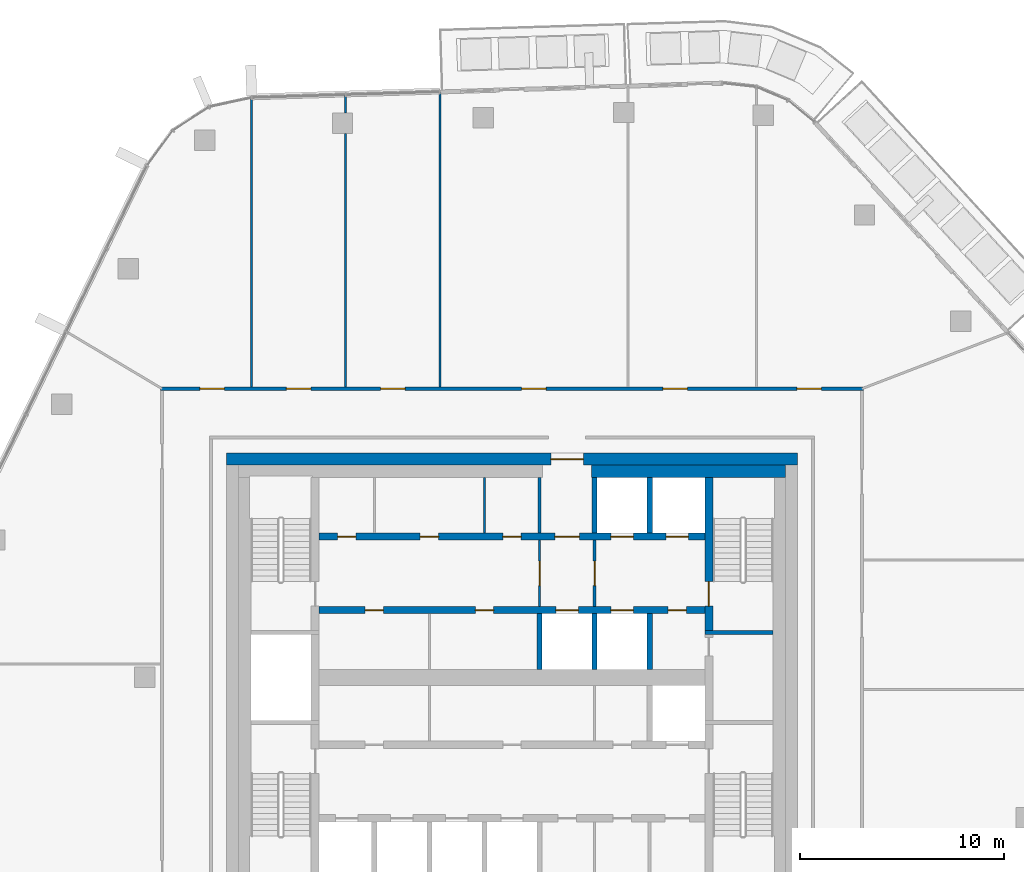
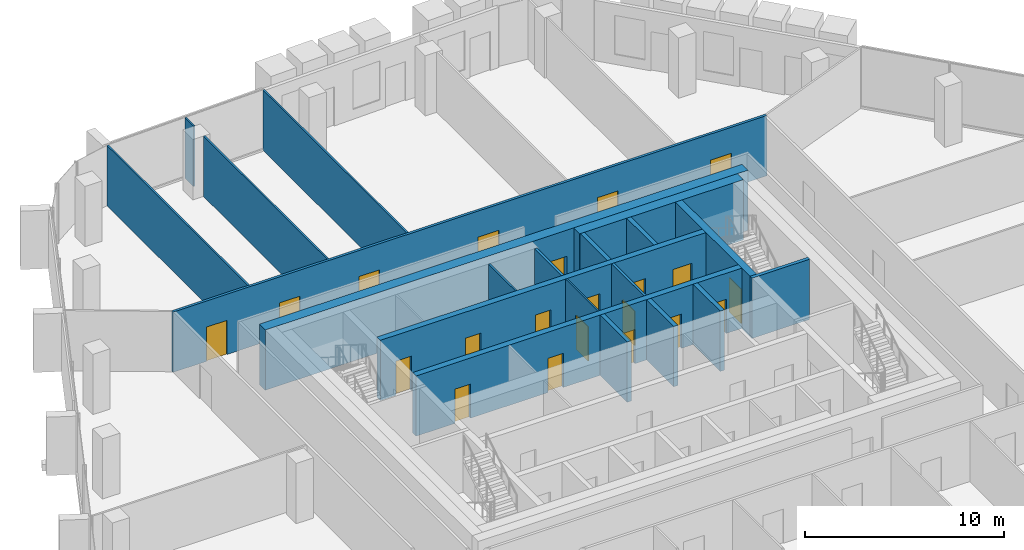
# One storey, part 15 of 24: 21 doors, 20 walls, 21 openings.
"""IFC4 building model written with IfcOpenShell, lengths in metres."""

import ifcopenshell
import ifcopenshell.guid

model = None  # the IFC model being written
_history = None  # IfcOwnerHistory: only IFC2X3 demands one
_inside = {}  # id of a spatial element -> (the spatial element, [elements in it])
_under = {}  # id of a project, library or spatial element -> (it, [spatial elements below it])
_declared = {}  # id of a project -> (the project, [libraries it declares])
_typed = {}  # id of a type object -> (the type object, [elements of that type])
_made_of = {}  # id of a material, layer set ... -> (it, [elements and type objects made of it])


def new_model(schema):
    """Start an empty IFC model of exactly this schema.

    Asked for "IFC4X3", IfcOpenShell would pick the latest addendum, in which some entities
    have other attributes; the version numbers below select the first issue.
    IFC2X3 requires an IfcOwnerHistory on every rooted entity: one is made here for all.
    """
    global model, _history
    if schema == "IFC4X3":
        model = ifcopenshell.file(schema_version=(4, 3, 0, 0))
    else:
        model = ifcopenshell.file(schema=schema)
    _inside.clear()
    _under.clear()
    _declared.clear()
    _typed.clear()
    _made_of.clear()
    _history = None
    if model.schema == "IFC2X3":
        org = make("IfcOrganization", Name="unknown")
        user = make(
            "IfcPersonAndOrganization",
            ThePerson=make("IfcPerson", FamilyName="unknown"),
            TheOrganization=org,
        )
        app = make(
            "IfcApplication",
            ApplicationDeveloper=org,
            Version="unknown",
            ApplicationFullName="unknown",
            ApplicationIdentifier="unknown",
        )
        _history = make(
            "IfcOwnerHistory",
            OwningUser=user,
            OwningApplication=app,
            ChangeAction="ADDED",
            CreationDate=0,
        )
    return model


def make(cls, **values):
    """One entity of the class cls with the attributes given. An attribute that is None is left unset."""
    return model.create_entity(
        cls, **{name: value for name, value in values.items() if value is not None}
    )


def rooted(cls, **values):
    """An entity with a GlobalId (a new one), such as an element, a storey or a relation."""
    return make(cls, GlobalId=ifcopenshell.guid.new(), OwnerHistory=_history, **values)


def si_unit(unit_type, name, prefix=None):
    """IfcSIUnit, for example si_unit("LENGTHUNIT", "METRE", prefix="MILLI")."""
    return make("IfcSIUnit", UnitType=unit_type, Prefix=prefix, Name=name)


def assignment(units):
    """IfcUnitAssignment: the units of a project."""
    return None if units is None else make("IfcUnitAssignment", Units=units)


def point(xyz):
    """IfcCartesianPoint."""
    return None if xyz is None else make("IfcCartesianPoint", Coordinates=xyz)


def direction(xyz):
    """IfcDirection."""
    return None if xyz is None else make("IfcDirection", DirectionRatios=xyz)


def frame(location, z_axis=None, x_axis=None):
    """IfcAxis2Placement3D, a coordinate frame: its origin and axes. An axis left out is left unset."""
    return make(
        "IfcAxis2Placement3D",
        Location=point(location),
        Axis=direction(z_axis),
        RefDirection=direction(x_axis),
    )


def frame_2d(location, x_axis=None):
    """IfcAxis2Placement2D, a coordinate frame in the plane: its origin and x axis."""
    return make(
        "IfcAxis2Placement2D", Location=point(location), RefDirection=direction(x_axis)
    )


def origin():
    """The frame at (0, 0, 0) with its axes left unset."""
    return frame((0.0, 0.0, 0.0))


def place(relative_to, where):
    """IfcLocalPlacement: puts the frame where relative to a parent placement (None: the world)."""
    return make(
        "IfcLocalPlacement", PlacementRelTo=relative_to, RelativePlacement=where
    )


def context(
    kind, dimensions, precision=None, world=None, true_north=None, identifier=None
):
    """IfcGeometricRepresentationContext, for example the 3D "Model" context."""
    return make(
        "IfcGeometricRepresentationContext",
        ContextIdentifier=identifier,
        ContextType=kind,
        CoordinateSpaceDimension=dimensions,
        Precision=precision,
        WorldCoordinateSystem=world,
        TrueNorth=true_north,
    )


def subcontext(parent, identifier, kind, view, scale=None):
    """IfcGeometricRepresentationSubContext, for example "Body" below "Model"."""
    return make(
        "IfcGeometricRepresentationSubContext",
        ContextIdentifier=identifier,
        ContextType=kind,
        ParentContext=parent,
        TargetScale=scale,
        TargetView=view,
    )


def project(units=None, contexts=None):
    """IfcProject with its units and contexts."""
    return rooted(
        "IfcProject",
        Name="project",
        RepresentationContexts=contexts,
        UnitsInContext=assignment(units),
    )


def spatial(cls, under=None, at=None, **own):
    """A site, building, storey or space (cls), placed at a placement, below another one or the project."""
    s = rooted(cls, ObjectPlacement=at, **own)
    if under is not None:
        _under.setdefault(under.id(), (under, []))[1].append(s)
    return s


def profile(cls, at=None, kind="AREA", **sizes):
    """A parametric profile (cls). Its sizes go by their IFC names, for example OverallWidth=200.0."""
    return make(cls, ProfileType=kind, Position=at, **sizes)


def rectangle(**sizes):
    """IfcRectangleProfileDef."""
    return profile("IfcRectangleProfileDef", **sizes)


def extrude(swept, where, along, depth):
    """IfcExtrudedAreaSolid: the profile swept, set in the frame where, extruded along a direction by depth."""
    return make(
        "IfcExtrudedAreaSolid",
        SweptArea=swept,
        Position=where,
        ExtrudedDirection=direction(along),
        Depth=depth,
    )


def shape(context_of_items, identifier, shape_type, items):
    """IfcShapeRepresentation: the items that make up one representation, for example the "Body"."""
    return make(
        "IfcShapeRepresentation",
        ContextOfItems=context_of_items,
        RepresentationIdentifier=identifier,
        RepresentationType=shape_type,
        Items=items,
    )


def material(Name=None, Category=None):
    """IfcMaterial."""
    return make("IfcMaterial", Name=Name, Category=Category)


def layer(
    of_material, thickness, ventilated=None, Name=None, Category=None, Priority=None
):
    """IfcMaterialLayer: one layer of a wall or slab, of a material (None: an air gap)."""
    return make(
        "IfcMaterialLayer",
        Material=of_material,
        LayerThickness=thickness,
        IsVentilated=ventilated,
        Name=Name,
        Category=Category,
        Priority=Priority,
    )


def layer_set(layers, Name=None):
    """IfcMaterialLayerSet."""
    return make("IfcMaterialLayerSet", MaterialLayers=layers, LayerSetName=Name)


def made_of(thing, what):
    """Note that an element or type object is made of a material, layer set ...; save() writes the relation."""
    if what is not None:
        _made_of.setdefault(what.id(), (what, []))[1].append(thing)
    return thing


def type_object(cls, material=None, **own):
    """A type object (cls), such as IfcWallType, which elements share."""
    return made_of(rooted(cls, **own), material)


def element(
    cls,
    number,
    at=None,
    inside=None,
    cuts=None,
    type_object=None,
    material=None,
    context=None,
    identifier="Body",
    shape_type=None,
    held_by="IfcProductDefinitionShape",
    body=None,
    shapes=None,
    **own,
):
    """One element of the class cls, such as IfcWall. Its Tag is "e" and its number.

    at: its placement. inside: the storey or other place that contains it. cuts: it is an
    opening in that element (IfcRelVoidsElement). A single representation is given by context,
    identifier, shape_type and body (its items); several are given by shapes. held_by: the class
    of the entity that holds the representations. save() writes the other relations.
    """
    e = rooted(cls, Tag="e%d" % number, ObjectPlacement=at, **own)
    if body is not None:
        shapes = [shape(context, identifier, shape_type, body)]
    if shapes is not None:
        e.Representation = make(held_by, Representations=shapes)
    if inside is not None:
        _inside.setdefault(inside.id(), (inside, []))[1].append(e)
    if cuts is not None:
        rooted(
            "IfcRelVoidsElement", RelatingBuildingElement=cuts, RelatedOpeningElement=e
        )
    if type_object is not None:
        _typed.setdefault(type_object.id(), (type_object, []))[1].append(e)
    return made_of(e, material)


def fill(opening, filler):
    """IfcRelFillsElement: the door or window that sits in an opening."""
    return rooted(
        "IfcRelFillsElement",
        RelatingOpeningElement=opening,
        RelatedBuildingElement=filler,
    )


def aggregate(whole, parts):
    """IfcRelAggregates: a whole, such as a stair, and the parts it consists of."""
    return rooted("IfcRelAggregates", RelatingObject=whole, RelatedObjects=parts)


def save(model, path):
    """Write the relations noted so far, then the file.

    IfcRelAggregates (storeys below a building ...), IfcRelContainedInSpatialStructure (elements
    in a storey), IfcRelDefinesByType, IfcRelAssociatesMaterial and IfcRelDeclares: one each for
    every whole, place, type object, material and project.
    """
    for whole, parts in _under.values():
        aggregate(whole, parts)
    for where, things in _inside.values():
        rooted(
            "IfcRelContainedInSpatialStructure",
            RelatedElements=things,
            RelatingStructure=where,
        )
    for kind, things in _typed.values():
        rooted("IfcRelDefinesByType", RelatedObjects=things, RelatingType=kind)
    for what, things in _made_of.values():
        rooted("IfcRelAssociatesMaterial", RelatedObjects=things, RelatingMaterial=what)
    for by, libraries in _declared.values():
        rooted("IfcRelDeclares", RelatingContext=by, RelatedDefinitions=libraries)
    model.write(path)


model = new_model("IFC4")

# Units and contexts
model_context = context("Model", 3, precision=1e-05, world=origin(), true_north=direction((0.0, 1.0)))
body_context = subcontext(model_context, "Body", "Model", "MODEL_VIEW")
ifc_project = project(units=[si_unit("LENGTHUNIT", "METRE"), si_unit("AREAUNIT", "SQUARE_METRE"), si_unit("VOLUMEUNIT", "CUBIC_METRE"), si_unit("PLANEANGLEUNIT", "RADIAN"), si_unit("MASSUNIT", "GRAM", prefix="KILO")], contexts=[model_context])

# Site, building, storey
site_placement = place(None, origin())
site = spatial("IfcSite", under=ifc_project, at=site_placement, CompositionType="ELEMENT")
building_placement = place(site_placement, origin())
building = spatial("IfcBuilding", under=site, at=building_placement, Name="Dongbaek Canopy Tower", CompositionType="ELEMENT")
storey_placement = place(building_placement, frame((0.0, 0.0, 348.800048828125)))
storey = spatial("IfcBuildingStorey", under=building, at=storey_placement, Name="L75", CompositionType="ELEMENT", Elevation=348.800048828125)

# Wall, openings, doors
ifc_material_1 = material(Name="Concrete C60/75", Category="concrete")
ifc_layer_1 = layer(ifc_material_1, 0.35009765625)
ifc_layer_set_1 = layer_set([ifc_layer_1], Name="Core lobby wall 350 Concrete C60/75")
wall_type_1 = type_object("IfcWallType", Name="Core lobby wall 350 Concrete C60/75", PredefinedType="SHEAR", material=ifc_layer_set_1)
wall_1_placement = place(storey_placement, frame((-9.449951171875, 6.89990234375, 0.0), z_axis=(0.0, 0.0, 1.0), x_axis=(1.0, 0.0, 0.0)))
wall_1 = element("IfcWall", 1, at=wall_1_placement, inside=storey, type_object=wall_type_1, Name="Core wall", PredefinedType="SHEAR", context=body_context, shape_type="SweptSolid", body=[
    extrude(rectangle(XDim=18.89990234375, YDim=0.35009765625, at=frame_2d((9.449951171875, 0.0))), origin(), (0.0, 0.0, 1.0), 3.699951171875),
])
opening_1_placement = place(wall_1_placement, frame((11.550048828125, 0.0, 0.0)))
opening_1 = element("IfcOpeningElement", 2, at=opening_1_placement, cuts=wall_1, Name="Opening L75-D021", PredefinedType="OPENING", context=body_context, shape_type="SweptSolid", body=[
    extrude(rectangle(XDim=1.199951171875, YDim=2.10009765625, at=frame_2d((0.60009765625, 1.050048828125))), frame((0.0, 0.18505859375, 0.0), z_axis=(0.0, -1.0, 0.0), x_axis=(1.0, 0.0, 0.0)), (0.0, 0.0, 1.0), 0.3701171875),
])
opening_2_placement = place(wall_1_placement, frame((14.300048828125, 0.0, 0.0)))
opening_2 = element("IfcOpeningElement", 3, at=opening_2_placement, cuts=wall_1, Name="Opening L75-D022", PredefinedType="OPENING", context=body_context, shape_type="SweptSolid", body=[
    extrude(rectangle(XDim=1.10009765625, YDim=2.10009765625, at=frame_2d((0.550048828125, 1.050048828125))), frame((0.0, 0.18505859375, 0.0), z_axis=(0.0, -1.0, 0.0), x_axis=(1.0, 0.0, 0.0)), (0.0, 0.0, 1.0), 0.3701171875),
])
opening_3_placement = place(wall_1_placement, frame((17.0, 0.0, 0.0)))
opening_3 = element("IfcOpeningElement", 4, at=opening_3_placement, cuts=wall_1, Name="Opening L75-D023", PredefinedType="OPENING", context=body_context, shape_type="SweptSolid", body=[
    extrude(rectangle(XDim=1.10009765625, YDim=2.10009765625, at=frame_2d((0.550048828125, 1.050048828125))), frame((0.0, 0.18505859375, 0.0), z_axis=(0.0, -1.0, 0.0), x_axis=(1.0, 0.0, 0.0)), (0.0, 0.0, 1.0), 0.3701171875),
])
opening_4_placement = place(wall_1_placement, frame((0.89990234375, 0.0, 0.0)))
opening_4 = element("IfcOpeningElement", 5, at=opening_4_placement, cuts=wall_1, Name="Opening L75-D034", PredefinedType="OPENING", context=body_context, shape_type="SweptSolid", body=[
    extrude(rectangle(XDim=0.89990234375, YDim=2.10009765625, at=frame_2d((0.449951171875, 1.050048828125))), frame((0.0, 0.18505859375, 0.0), z_axis=(0.0, -1.0, 0.0), x_axis=(1.0, 0.0, 0.0)), (0.0, 0.0, 1.0), 0.3701171875),
])
opening_5_placement = place(wall_1_placement, frame((4.949951171875, 0.0, 0.0)))
opening_5 = element("IfcOpeningElement", 6, at=opening_5_placement, cuts=wall_1, Name="Opening L75-D035", PredefinedType="OPENING", context=body_context, shape_type="SweptSolid", body=[
    extrude(rectangle(XDim=0.89990234375, YDim=2.10009765625, at=frame_2d((0.449951171875, 1.050048828125))), frame((0.0, 0.18505859375, 0.0), z_axis=(0.0, -1.0, 0.0), x_axis=(1.0, 0.0, 0.0)), (0.0, 0.0, 1.0), 0.3701171875),
])
opening_6_placement = place(wall_1_placement, frame((9.0, 0.0, 0.0)))
opening_6 = element("IfcOpeningElement", 7, at=opening_6_placement, cuts=wall_1, Name="Opening L75-D036", PredefinedType="OPENING", context=body_context, shape_type="SweptSolid", body=[
    extrude(rectangle(XDim=0.89990234375, YDim=2.10009765625, at=frame_2d((0.449951171875, 1.050048828125))), frame((0.0, 0.18505859375, 0.0), z_axis=(0.0, -1.0, 0.0), x_axis=(1.0, 0.0, 0.0)), (0.0, 0.0, 1.0), 0.3701171875),
])
ifc_material_2 = material(Name="Steel", Category="steel")
door_type_1 = type_object("IfcDoorType", Name="Core room door 900 x 2100", OperationType="SINGLE_SWING_LEFT", PredefinedType="DOOR", material=ifc_material_2)
door_1_placement = place(opening_4_placement, origin())
door_1 = element("IfcDoor", 8, at=door_1_placement, inside=storey, type_object=door_type_1, Name="Door L75-D034", OperationType="SINGLE_SWING_RIGHT", OverallHeight=2.10009765625, OverallWidth=0.89990234375, PredefinedType="DOOR", context=body_context, shape_type="SweptSolid", body=[
    extrude(rectangle(XDim=0.89990234375, YDim=2.10009765625, at=frame_2d((0.449951171875, 1.050048828125))), frame((0.0, 0.02490234375, 0.0), z_axis=(0.0, -1.0, 0.0), x_axis=(1.0, 0.0, 0.0)), (0.0, 0.0, 1.0), 0.050048828125),
])
fill(opening_4, door_1)
door_2_placement = place(opening_5_placement, origin())
door_2 = element("IfcDoor", 9, at=door_2_placement, inside=storey, type_object=door_type_1, Name="Door L75-D035", OperationType="SINGLE_SWING_LEFT", OverallHeight=2.10009765625, OverallWidth=0.89990234375, PredefinedType="DOOR", context=body_context, shape_type="SweptSolid", body=[
    extrude(rectangle(XDim=0.89990234375, YDim=2.10009765625, at=frame_2d((0.449951171875, 1.050048828125))), frame((0.0, 0.02490234375, 0.0), z_axis=(0.0, -1.0, 0.0), x_axis=(1.0, 0.0, 0.0)), (0.0, 0.0, 1.0), 0.050048828125),
])
fill(opening_5, door_2)
door_3_placement = place(opening_6_placement, origin())
door_3 = element("IfcDoor", 10, at=door_3_placement, inside=storey, type_object=door_type_1, Name="Door L75-D036", OperationType="SINGLE_SWING_RIGHT", OverallHeight=2.10009765625, OverallWidth=0.89990234375, PredefinedType="DOOR", context=body_context, shape_type="SweptSolid", body=[
    extrude(rectangle(XDim=0.89990234375, YDim=2.10009765625, at=frame_2d((0.449951171875, 1.050048828125))), frame((0.0, 0.02490234375, 0.0), z_axis=(0.0, -1.0, 0.0), x_axis=(1.0, 0.0, 0.0)), (0.0, 0.0, 1.0), 0.050048828125),
])
fill(opening_6, door_3)
ifc_material_3 = material(Name="Steel", Category="steel")
door_type_2 = type_object("IfcDoorType", Name="Fire lobby door 1200 x 2100", OperationType="SINGLE_SWING_LEFT", PredefinedType="DOOR", material=ifc_material_3)
door_4_placement = place(opening_1_placement, origin())
door_4 = element("IfcDoor", 11, at=door_4_placement, inside=storey, type_object=door_type_2, Name="Door L75-D021", OperationType="SINGLE_SWING_LEFT", OverallHeight=2.10009765625, OverallWidth=1.199951171875, PredefinedType="DOOR", context=body_context, shape_type="SweptSolid", body=[
    extrude(rectangle(XDim=1.199951171875, YDim=2.10009765625, at=frame_2d((0.60009765625, 1.050048828125))), frame((0.0, 0.02490234375, 0.0), z_axis=(0.0, -1.0, 0.0), x_axis=(1.0, 0.0, 0.0)), (0.0, 0.0, 1.0), 0.050048828125),
])
fill(opening_1, door_4)
ifc_material_4 = material(Name="Stainless steel", Category="steel")
door_type_3 = type_object("IfcDoorType", Name="Lift landing door 1100 x 2100", OperationType="DOUBLE_DOOR_SLIDING", PredefinedType="DOOR", material=ifc_material_4)
door_5_placement = place(opening_2_placement, origin())
door_5 = element("IfcDoor", 12, at=door_5_placement, inside=storey, type_object=door_type_3, Name="Landing door FF1", OperationType="DOUBLE_DOOR_SLIDING", OverallHeight=2.10009765625, OverallWidth=1.10009765625, PredefinedType="DOOR", context=body_context, shape_type="SweptSolid", body=[
    extrude(rectangle(XDim=1.10009765625, YDim=2.10009765625, at=frame_2d((0.550048828125, 1.050048828125))), frame((0.0, 0.02490234375, 0.0), z_axis=(0.0, -1.0, 0.0), x_axis=(1.0, 0.0, 0.0)), (0.0, 0.0, 1.0), 0.050048828125),
])
fill(opening_2, door_5)
door_6_placement = place(opening_3_placement, origin())
door_6 = element("IfcDoor", 13, at=door_6_placement, inside=storey, type_object=door_type_3, Name="Landing door FF2", OperationType="DOUBLE_DOOR_SLIDING", OverallHeight=2.10009765625, OverallWidth=1.10009765625, PredefinedType="DOOR", context=body_context, shape_type="SweptSolid", body=[
    extrude(rectangle(XDim=1.10009765625, YDim=2.10009765625, at=frame_2d((0.550048828125, 1.050048828125))), frame((0.0, 0.02490234375, 0.0), z_axis=(0.0, -1.0, 0.0), x_axis=(1.0, 0.0, 0.0)), (0.0, 0.0, 1.0), 0.050048828125),
])
fill(opening_3, door_6)

wall_2_placement = place(storey_placement, frame((9.449951171875, 3.300048828125, 0.0), z_axis=(0.0, 0.0, 1.0), x_axis=(-1.0, 0.0, 0.0)))
wall_2 = element("IfcWall", 14, at=wall_2_placement, inside=storey, type_object=wall_type_1, Name="Core wall", PredefinedType="SHEAR", context=body_context, shape_type="SweptSolid", body=[
    extrude(rectangle(XDim=18.89990234375, YDim=0.35009765625, at=frame_2d((9.449951171875, 0.0))), origin(), (0.0, 0.0, 1.0), 3.699951171875),
])
opening_7_placement = place(wall_2_placement, frame((6.199951171875, 0.0, 0.0)))
opening_7 = element("IfcOpeningElement", 15, at=opening_7_placement, cuts=wall_2, Name="Opening L75-D024", PredefinedType="OPENING", context=body_context, shape_type="SweptSolid", body=[
    extrude(rectangle(XDim=1.10009765625, YDim=2.10009765625, at=frame_2d((0.550048828125, 1.050048828125))), frame((0.0, 0.18505859375, 0.0), z_axis=(0.0, -1.0, 0.0), x_axis=(1.0, 0.0, 0.0)), (0.0, 0.0, 1.0), 0.3701171875),
])
opening_8_placement = place(wall_2_placement, frame((3.5, 0.0, 0.0)))
opening_8 = element("IfcOpeningElement", 16, at=opening_8_placement, cuts=wall_2, Name="Opening L75-D025", PredefinedType="OPENING", context=body_context, shape_type="SweptSolid", body=[
    extrude(rectangle(XDim=1.10009765625, YDim=2.10009765625, at=frame_2d((0.550048828125, 1.050048828125))), frame((0.0, 0.18505859375, 0.0), z_axis=(0.0, -1.0, 0.0), x_axis=(1.0, 0.0, 0.0)), (0.0, 0.0, 1.0), 0.3701171875),
])
opening_9_placement = place(wall_2_placement, frame((0.89990234375, 0.0, 0.0)))
opening_9 = element("IfcOpeningElement", 17, at=opening_9_placement, cuts=wall_2, Name="Opening L75-D026", PredefinedType="OPENING", context=body_context, shape_type="SweptSolid", body=[
    extrude(rectangle(XDim=0.89990234375, YDim=2.10009765625, at=frame_2d((0.449951171875, 1.050048828125))), frame((0.0, 0.18505859375, 0.0), z_axis=(0.0, -1.0, 0.0), x_axis=(1.0, 0.0, 0.0)), (0.0, 0.0, 1.0), 0.3701171875),
])
opening_10_placement = place(wall_2_placement, frame((15.75, 0.0, 0.0)))
opening_10 = element("IfcOpeningElement", 18, at=opening_10_placement, cuts=wall_2, Name="Opening L75-D037", PredefinedType="OPENING", context=body_context, shape_type="SweptSolid", body=[
    extrude(rectangle(XDim=0.89990234375, YDim=2.10009765625, at=frame_2d((0.449951171875, 1.050048828125))), frame((0.0, 0.18505859375, 0.0), z_axis=(0.0, -1.0, 0.0), x_axis=(1.0, 0.0, 0.0)), (0.0, 0.0, 1.0), 0.3701171875),
])
opening_11_placement = place(wall_2_placement, frame((10.35009765625, 0.0, 0.0)))
opening_11 = element("IfcOpeningElement", 19, at=opening_11_placement, cuts=wall_2, Name="Opening L75-D038", PredefinedType="OPENING", context=body_context, shape_type="SweptSolid", body=[
    extrude(rectangle(XDim=0.89990234375, YDim=2.10009765625, at=frame_2d((0.449951171875, 1.050048828125))), frame((0.0, 0.18505859375, 0.0), z_axis=(0.0, -1.0, 0.0), x_axis=(1.0, 0.0, 0.0)), (0.0, 0.0, 1.0), 0.3701171875),
])
door_7_placement = place(opening_9_placement, origin())
door_7 = element("IfcDoor", 20, at=door_7_placement, inside=storey, type_object=door_type_1, Name="Door L75-D026", OperationType="SINGLE_SWING_LEFT", OverallHeight=2.10009765625, OverallWidth=0.89990234375, PredefinedType="DOOR", context=body_context, shape_type="SweptSolid", body=[
    extrude(rectangle(XDim=0.89990234375, YDim=2.10009765625, at=frame_2d((0.449951171875, 1.050048828125))), frame((0.0, 0.02490234375, 0.0), z_axis=(0.0, -1.0, 0.0), x_axis=(1.0, 0.0, 0.0)), (0.0, 0.0, 1.0), 0.050048828125),
])
fill(opening_9, door_7)
door_8_placement = place(opening_10_placement, origin())
door_8 = element("IfcDoor", 21, at=door_8_placement, inside=storey, type_object=door_type_1, Name="Door L75-D037", OperationType="SINGLE_SWING_LEFT", OverallHeight=2.10009765625, OverallWidth=0.89990234375, PredefinedType="DOOR", context=body_context, shape_type="SweptSolid", body=[
    extrude(rectangle(XDim=0.89990234375, YDim=2.10009765625, at=frame_2d((0.449951171875, 1.050048828125))), frame((0.0, 0.02490234375, 0.0), z_axis=(0.0, -1.0, 0.0), x_axis=(1.0, 0.0, 0.0)), (0.0, 0.0, 1.0), 0.050048828125),
])
fill(opening_10, door_8)
door_9_placement = place(opening_11_placement, origin())
door_9 = element("IfcDoor", 22, at=door_9_placement, inside=storey, type_object=door_type_1, Name="Door L75-D038", OperationType="SINGLE_SWING_RIGHT", OverallHeight=2.10009765625, OverallWidth=0.89990234375, PredefinedType="DOOR", context=body_context, shape_type="SweptSolid", body=[
    extrude(rectangle(XDim=0.89990234375, YDim=2.10009765625, at=frame_2d((0.449951171875, 1.050048828125))), frame((0.0, 0.02490234375, 0.0), z_axis=(0.0, -1.0, 0.0), x_axis=(1.0, 0.0, 0.0)), (0.0, 0.0, 1.0), 0.050048828125),
])
fill(opening_11, door_9)
door_10_placement = place(opening_7_placement, origin())
door_10 = element("IfcDoor", 23, at=door_10_placement, inside=storey, type_object=door_type_3, Name="Landing door SV1", OperationType="DOUBLE_DOOR_SLIDING", OverallHeight=2.10009765625, OverallWidth=1.10009765625, PredefinedType="DOOR", context=body_context, shape_type="SweptSolid", body=[
    extrude(rectangle(XDim=1.10009765625, YDim=2.10009765625, at=frame_2d((0.550048828125, 1.050048828125))), frame((0.0, 0.02490234375, 0.0), z_axis=(0.0, -1.0, 0.0), x_axis=(1.0, 0.0, 0.0)), (0.0, 0.0, 1.0), 0.050048828125),
])
fill(opening_7, door_10)
door_11_placement = place(opening_8_placement, origin())
door_11 = element("IfcDoor", 24, at=door_11_placement, inside=storey, type_object=door_type_3, Name="Landing door FF3", OperationType="DOUBLE_DOOR_SLIDING", OverallHeight=2.10009765625, OverallWidth=1.10009765625, PredefinedType="DOOR", context=body_context, shape_type="SweptSolid", body=[
    extrude(rectangle(XDim=1.10009765625, YDim=2.10009765625, at=frame_2d((0.550048828125, 1.050048828125))), frame((0.0, 0.02490234375, 0.0), z_axis=(0.0, -1.0, 0.0), x_axis=(1.0, 0.0, 0.0)), (0.0, 0.0, 1.0), 0.050048828125),
])
fill(opening_8, door_11)

# Wall, opening, door
ifc_material_5 = material(Name="Concrete C80/95", Category="concrete")
ifc_layer_2 = layer(ifc_material_5, 0.60009765625)
ifc_layer_set_2 = layer_set([ifc_layer_2], Name="Core outer wall 600 Concrete C80/95")
wall_type_2 = type_object("IfcWallType", Name="Core outer wall 600 Concrete C80/95", PredefinedType="SHEAR", material=ifc_layer_set_2)
wall_3_placement = place(storey_placement, frame((-14.0, 10.699951171875, 0.0), z_axis=(0.0, 0.0, 1.0), x_axis=(1.0, 0.0, 0.0)))
wall_3 = element("IfcWall", 25, at=wall_3_placement, inside=storey, type_object=wall_type_2, Name="Core wall", PredefinedType="SHEAR", context=body_context, shape_type="SweptSolid", body=[
    extrude(rectangle(XDim=28.0, YDim=0.60009765625, at=frame_2d((14.0, 0.0))), origin(), (0.0, 0.0, 1.0), 3.699951171875),
])
opening_12_placement = place(wall_3_placement, frame((15.89990234375, 0.0, 0.0)))
opening_12 = element("IfcOpeningElement", 26, at=opening_12_placement, cuts=wall_3, Name="Opening L75-D020", PredefinedType="OPENING", context=body_context, shape_type="SweptSolid", body=[
    extrude(rectangle(XDim=1.60009765625, YDim=2.10009765625, at=frame_2d((0.800048828125, 1.050048828125))), frame((0.0, 0.31005859375, 0.0), z_axis=(0.0, -1.0, 0.0), x_axis=(1.0, 0.0, 0.0)), (0.0, 0.0, 1.0), 0.6201171875),
])
ifc_material_6 = material(Name="Steel", Category="steel")
door_type_4 = type_object("IfcDoorType", Name="Core exit door 1600 x 2100", OperationType="DOUBLE_DOOR_SINGLE_SWING", PredefinedType="DOOR", material=ifc_material_6)
door_12_placement = place(opening_12_placement, origin())
door_12 = element("IfcDoor", 27, at=door_12_placement, inside=storey, type_object=door_type_4, Name="Core exit door", OperationType="DOUBLE_DOOR_SINGLE_SWING", OverallHeight=2.10009765625, OverallWidth=1.60009765625, PredefinedType="DOOR", context=body_context, shape_type="SweptSolid", body=[
    extrude(rectangle(XDim=1.60009765625, YDim=2.10009765625, at=frame_2d((0.800048828125, 1.050048828125))), frame((0.0, 0.02490234375, 0.0), z_axis=(0.0, -1.0, 0.0), x_axis=(1.0, 0.0, 0.0)), (0.0, 0.0, 1.0), 0.050048828125),
])
fill(opening_12, door_12)

# Wall
ifc_material_7 = material(Name="Concrete C60/75", Category="concrete")
ifc_layer_3 = layer(ifc_material_7, 0.60009765625)
ifc_layer_set_3 = layer_set([ifc_layer_3], Name="Core wall lining 600 Concrete C60/75")
wall_type_3 = type_object("IfcWallType", Name="Core wall lining 600 Concrete C60/75", PredefinedType="SHEAR", material=ifc_layer_set_3)
wall_4_placement = place(storey_placement, frame((3.89990234375, 10.10009765625, 0.0), z_axis=(0.0, 0.0, 1.0), x_axis=(1.0, 0.0, 0.0)))
element("IfcWall", 28, at=wall_4_placement, inside=storey, type_object=wall_type_3, Name="Core wall lining", PredefinedType="SHEAR", context=body_context, shape_type="SweptSolid", body=[
    extrude(rectangle(XDim=9.5, YDim=0.60009765625, at=frame_2d((4.75, 0.0))), origin(), (0.0, 0.0, 1.0), 3.699951171875),
])

# Wall, openings, doors
ifc_material_8 = material(Name="Gypsum board partition, steel stud, 2 x 15 mm fire board", Category="steel")
ifc_layer_4 = layer(ifc_material_8, 0.14990234375)
ifc_layer_set_4 = layer_set([ifc_layer_4], Name="Fire-rated partition 150 gypsum board")
wall_type_4 = type_object("IfcWallType", Name="Fire-rated partition 150 gypsum board", PredefinedType="PARTITIONING", material=ifc_layer_set_4)
wall_5_placement = place(storey_placement, frame((-17.22509765625, 14.14990234375, 0.0), z_axis=(0.0, 0.0, 1.0), x_axis=(1.0, 0.0, 0.0)))
wall_5 = element("IfcWall", 29, at=wall_5_placement, inside=storey, type_object=wall_type_4, Name="Corridor partition", PredefinedType="PARTITIONING", context=body_context, shape_type="SweptSolid", body=[
    extrude(rectangle(XDim=34.4501953125, YDim=0.14990234375, at=frame_2d((17.22509765625, 0.0))), origin(), (0.0, 0.0, 1.0), 3.699951171875),
])
opening_13_placement = place(wall_5_placement, frame((31.189697265625, 0.0, 0.0)))
opening_13 = element("IfcOpeningElement", 30, at=opening_13_placement, cuts=wall_5, Name="Opening L75-D012", PredefinedType="OPENING", context=body_context, shape_type="SweptSolid", body=[
    extrude(rectangle(XDim=1.199951171875, YDim=2.10009765625, at=frame_2d((0.60009765625, 1.050048828125))), frame((0.0, 0.0849609375, 0.0), z_axis=(0.0, -1.0, 0.0), x_axis=(1.0, 0.0, 0.0)), (0.0, 0.0, 1.0), 0.169921875),
])
opening_14_placement = place(wall_5_placement, frame((24.62060546875, 0.0, 0.0)))
opening_14 = element("IfcOpeningElement", 31, at=opening_14_placement, cuts=wall_5, Name="Opening L75-D013", PredefinedType="OPENING", context=body_context, shape_type="SweptSolid", body=[
    extrude(rectangle(XDim=1.199951171875, YDim=2.10009765625, at=frame_2d((0.60009765625, 1.050048828125))), frame((0.0, 0.0849609375, 0.0), z_axis=(0.0, -1.0, 0.0), x_axis=(1.0, 0.0, 0.0)), (0.0, 0.0, 1.0), 0.169921875),
])
opening_15_placement = place(wall_5_placement, frame((17.70263671875, 0.0, 0.0)))
opening_15 = element("IfcOpeningElement", 32, at=opening_15_placement, cuts=wall_5, Name="Opening L75-D014", PredefinedType="OPENING", context=body_context, shape_type="SweptSolid", body=[
    extrude(rectangle(XDim=1.199951171875, YDim=2.10009765625, at=frame_2d((0.60009765625, 1.050048828125))), frame((0.0, 0.0849609375, 0.0), z_axis=(0.0, -1.0, 0.0), x_axis=(1.0, 0.0, 0.0)), (0.0, 0.0, 1.0), 0.169921875),
])
opening_16_placement = place(wall_5_placement, frame((10.781005859375, 0.0, 0.0)))
opening_16 = element("IfcOpeningElement", 33, at=opening_16_placement, cuts=wall_5, Name="Opening L75-D015", PredefinedType="OPENING", context=body_context, shape_type="SweptSolid", body=[
    extrude(rectangle(XDim=1.199951171875, YDim=2.10009765625, at=frame_2d((0.60009765625, 1.050048828125))), frame((0.0, 0.0849609375, 0.0), z_axis=(0.0, -1.0, 0.0), x_axis=(1.0, 0.0, 0.0)), (0.0, 0.0, 1.0), 0.169921875),
])
opening_17_placement = place(wall_5_placement, frame((6.1708984375, 0.0, 0.0)))
opening_17 = element("IfcOpeningElement", 34, at=opening_17_placement, cuts=wall_5, Name="Opening L75-D016", PredefinedType="OPENING", context=body_context, shape_type="SweptSolid", body=[
    extrude(rectangle(XDim=1.199951171875, YDim=2.10009765625, at=frame_2d((0.60009765625, 1.050048828125))), frame((0.0, 0.0849609375, 0.0), z_axis=(0.0, -1.0, 0.0), x_axis=(1.0, 0.0, 0.0)), (0.0, 0.0, 1.0), 0.169921875),
])
opening_18_placement = place(wall_5_placement, frame((1.931640625, 0.0, 0.0)))
opening_18 = element("IfcOpeningElement", 35, at=opening_18_placement, cuts=wall_5, Name="Opening L75-D017", PredefinedType="OPENING", context=body_context, shape_type="SweptSolid", body=[
    extrude(rectangle(XDim=1.199951171875, YDim=2.10009765625, at=frame_2d((0.60009765625, 1.050048828125))), frame((0.0, 0.0849609375, 0.0), z_axis=(0.0, -1.0, 0.0), x_axis=(1.0, 0.0, 0.0)), (0.0, 0.0, 1.0), 0.169921875),
])
ifc_material_9 = material(Name="Timber veneered door leaf", Category="wood")
door_type_5 = type_object("IfcDoorType", Name="Room door 1200 x 2100", OperationType="SINGLE_SWING_LEFT", PredefinedType="DOOR", material=ifc_material_9)
door_13_placement = place(opening_13_placement, origin())
door_13 = element("IfcDoor", 36, at=door_13_placement, inside=storey, type_object=door_type_5, Name="Door L75-D012", OperationType="SINGLE_SWING_LEFT", OverallHeight=2.10009765625, OverallWidth=1.199951171875, PredefinedType="DOOR", context=body_context, shape_type="SweptSolid", body=[
    extrude(rectangle(XDim=1.199951171875, YDim=2.10009765625, at=frame_2d((0.60009765625, 1.050048828125))), frame((0.0, 0.02490234375, 0.0), z_axis=(0.0, -1.0, 0.0), x_axis=(1.0, 0.0, 0.0)), (0.0, 0.0, 1.0), 0.050048828125),
])
fill(opening_13, door_13)
door_14_placement = place(opening_14_placement, origin())
door_14 = element("IfcDoor", 37, at=door_14_placement, inside=storey, type_object=door_type_5, Name="Door L75-D013", OperationType="SINGLE_SWING_RIGHT", OverallHeight=2.10009765625, OverallWidth=1.199951171875, PredefinedType="DOOR", context=body_context, shape_type="SweptSolid", body=[
    extrude(rectangle(XDim=1.199951171875, YDim=2.10009765625, at=frame_2d((0.60009765625, 1.050048828125))), frame((0.0, 0.02490234375, 0.0), z_axis=(0.0, -1.0, 0.0), x_axis=(1.0, 0.0, 0.0)), (0.0, 0.0, 1.0), 0.050048828125),
])
fill(opening_14, door_14)
door_15_placement = place(opening_15_placement, origin())
door_15 = element("IfcDoor", 38, at=door_15_placement, inside=storey, type_object=door_type_5, Name="Door L75-D014", OperationType="SINGLE_SWING_LEFT", OverallHeight=2.10009765625, OverallWidth=1.199951171875, PredefinedType="DOOR", context=body_context, shape_type="SweptSolid", body=[
    extrude(rectangle(XDim=1.199951171875, YDim=2.10009765625, at=frame_2d((0.60009765625, 1.050048828125))), frame((0.0, 0.02490234375, 0.0), z_axis=(0.0, -1.0, 0.0), x_axis=(1.0, 0.0, 0.0)), (0.0, 0.0, 1.0), 0.050048828125),
])
fill(opening_15, door_15)
door_16_placement = place(opening_16_placement, origin())
door_16 = element("IfcDoor", 39, at=door_16_placement, inside=storey, type_object=door_type_5, Name="Door L75-D015", OperationType="SINGLE_SWING_RIGHT", OverallHeight=2.10009765625, OverallWidth=1.199951171875, PredefinedType="DOOR", context=body_context, shape_type="SweptSolid", body=[
    extrude(rectangle(XDim=1.199951171875, YDim=2.10009765625, at=frame_2d((0.60009765625, 1.050048828125))), frame((0.0, 0.02490234375, 0.0), z_axis=(0.0, -1.0, 0.0), x_axis=(1.0, 0.0, 0.0)), (0.0, 0.0, 1.0), 0.050048828125),
])
fill(opening_16, door_16)
door_17_placement = place(opening_17_placement, origin())
door_17 = element("IfcDoor", 40, at=door_17_placement, inside=storey, type_object=door_type_5, Name="Door L75-D016", OperationType="SINGLE_SWING_LEFT", OverallHeight=2.10009765625, OverallWidth=1.199951171875, PredefinedType="DOOR", context=body_context, shape_type="SweptSolid", body=[
    extrude(rectangle(XDim=1.199951171875, YDim=2.10009765625, at=frame_2d((0.60009765625, 1.050048828125))), frame((0.0, 0.02490234375, 0.0), z_axis=(0.0, -1.0, 0.0), x_axis=(1.0, 0.0, 0.0)), (0.0, 0.0, 1.0), 0.050048828125),
])
fill(opening_17, door_17)
door_18_placement = place(opening_18_placement, origin())
door_18 = element("IfcDoor", 41, at=door_18_placement, inside=storey, type_object=door_type_5, Name="Door L75-D017", OperationType="SINGLE_SWING_RIGHT", OverallHeight=2.10009765625, OverallWidth=1.199951171875, PredefinedType="DOOR", context=body_context, shape_type="SweptSolid", body=[
    extrude(rectangle(XDim=1.199951171875, YDim=2.10009765625, at=frame_2d((0.60009765625, 1.050048828125))), frame((0.0, 0.02490234375, 0.0), z_axis=(0.0, -1.0, 0.0), x_axis=(1.0, 0.0, 0.0)), (0.0, 0.0, 1.0), 0.050048828125),
])
fill(opening_18, door_18)

# Wall, opening, door
wall_6_placement = place(storey_placement, frame((4.050048828125, 6.72509765625, 0.0), z_axis=(0.0, 0.0, 1.0), x_axis=(0.0, -1.0, 0.0)))
wall_6 = element("IfcWall", 42, at=wall_6_placement, inside=storey, type_object=wall_type_4, Name="Fire lobby partition", PredefinedType="PARTITIONING", context=body_context, shape_type="SweptSolid", body=[
    extrude(rectangle(XDim=3.25, YDim=0.14990234375, at=frame_2d((1.625, 0.0))), origin(), (0.0, 0.0, 1.0), 3.699951171875),
])
opening_19_placement = place(wall_6_placement, frame((1.02490234375, 0.0, 0.0)))
opening_19 = element("IfcOpeningElement", 43, at=opening_19_placement, cuts=wall_6, Name="Opening L75-D049", PredefinedType="OPENING", context=body_context, shape_type="SweptSolid", body=[
    extrude(rectangle(XDim=1.199951171875, YDim=2.10009765625, at=frame_2d((0.60009765625, 1.050048828125))), frame((0.0, 0.0849609375, 0.0), z_axis=(0.0, -1.0, 0.0), x_axis=(1.0, 0.0, 0.0)), (0.0, 0.0, 1.0), 0.169921875),
])
door_19_placement = place(opening_19_placement, origin())
door_19 = element("IfcDoor", 44, at=door_19_placement, inside=storey, type_object=door_type_2, Name="Door L75-D049", OperationType="SINGLE_SWING_RIGHT", OverallHeight=2.10009765625, OverallWidth=1.199951171875, PredefinedType="DOOR", context=body_context, shape_type="SweptSolid", body=[
    extrude(rectangle(XDim=1.199951171875, YDim=2.10009765625, at=frame_2d((0.60009765625, 1.050048828125))), frame((0.0, 0.02490234375, 0.0), z_axis=(0.0, -1.0, 0.0), x_axis=(1.0, 0.0, 0.0)), (0.0, 0.0, 1.0), 0.050048828125),
])
fill(opening_19, door_19)

# Walls
wall_7_placement = place(storey_placement, frame((1.35009765625, 7.074951171875, 0.0), z_axis=(0.0, 0.0, 1.0), x_axis=(0.0, 1.0, 0.0)))
element("IfcWall", 45, at=wall_7_placement, inside=storey, type_object=wall_type_4, Name="Fire lobby partition", PredefinedType="PARTITIONING", context=body_context, shape_type="SweptSolid", body=[
    extrude(rectangle(XDim=2.72509765625, YDim=0.14990234375, at=frame_2d((1.362548828125, 0.0))), origin(), (0.0, 0.0, 1.0), 3.699951171875),
])
ifc_material_10 = material(Name="Concrete C40/50", Category="concrete")
ifc_layer_5 = layer(ifc_material_10, 0.25)
ifc_layer_set_5 = layer_set([ifc_layer_5], Name="Lift shaft wall 250 Concrete C40/50")
wall_type_5 = type_object("IfcWallType", Name="Lift shaft wall 250 Concrete C40/50", PredefinedType="SOLIDWALL", material=ifc_layer_set_5)
for number, where, z_axis, x_axis, name in (
    (46, (6.75, 0.39990234375, 0.0), (0.0, 0.0, 1.0), (0.0, 1.0, 0.0), "Lift shaft wall"),
    (47, (6.75, 7.074951171875, 0.0), (0.0, 0.0, 1.0), (0.0, 1.0, 0.0), "Lift shaft wall"),
    (48, (4.050048828125, 0.39990234375, 0.0), (0.0, 0.0, 1.0), (0.0, 1.0, 0.0), "Lift shaft wall"),
    (49, (4.050048828125, 7.074951171875, 0.0), (0.0, 0.0, 1.0), (0.0, 1.0, 0.0), "Lift shaft wall"),
    (50, (1.35009765625, 0.39990234375, 0.0), (0.0, 0.0, 1.0), (0.0, 1.0, 0.0), "Lift shaft wall"),
):
    element("IfcWall", number, at=place(storey_placement, frame(where, z_axis=z_axis, x_axis=x_axis)), inside=storey, type_object=wall_type_5, Name=name, PredefinedType="SOLIDWALL", context=body_context, shape_type="SweptSolid", body=[
        extrude(rectangle(XDim=2.72509765625, YDim=0.25, at=frame_2d((1.362548828125, 0.0))), origin(), (0.0, 0.0, 1.0), 3.699951171875),
    ])
ifc_material_11 = material(Name="Gypsum board partition, steel stud, 2 x 12.5 mm board", Category="steel")
ifc_layer_6 = layer(ifc_material_11, 0.10009765625)
ifc_layer_set_6 = layer_set([ifc_layer_6], Name="Partition 100 gypsum board")
wall_type_6 = type_object("IfcWallType", Name="Partition 100 gypsum board", PredefinedType="PARTITIONING", material=ifc_layer_set_6)
wall_8_placement = place(storey_placement, frame((-3.537109375, 14.22509765625, 0.0), z_axis=(0.0, 0.0, 1.0), x_axis=(0.0, 1.0, 0.0)))
element("IfcWall", 51, at=wall_8_placement, inside=storey, type_object=wall_type_6, Name="Partition", PredefinedType="PARTITIONING", context=body_context, shape_type="SweptSolid", body=[
    extrude(rectangle(XDim=14.451416015625, YDim=0.10009765625, at=frame_2d((7.2255859375, 0.0))), origin(), (0.0, 0.0, 1.0), 3.699951171875),
])
wall_9_placement = place(storey_placement, frame((-8.15087890625, 14.22509765625, 0.0), z_axis=(0.0, 0.0, 1.0), x_axis=(0.0, 1.0, 0.0)))
element("IfcWall", 52, at=wall_9_placement, inside=storey, type_object=wall_type_6, Name="Partition", PredefinedType="PARTITIONING", context=body_context, shape_type="SweptSolid", body=[
    extrude(rectangle(XDim=12.43896484375, YDim=0.10009765625, at=frame_2d((6.219482421875, 0.0))), origin(), (0.0, 0.0, 1.0), 3.699951171875),
])
wall_10_placement = place(storey_placement, frame((-8.15087890625, 27.6640625, 0.0), z_axis=(0.0, 0.0, 1.0), x_axis=(0.0, 1.0, 0.0)))
element("IfcWall", 53, at=wall_10_placement, inside=storey, type_object=wall_type_6, Name="Partition", PredefinedType="PARTITIONING", context=body_context, shape_type="SweptSolid", body=[
    extrude(rectangle(XDim=0.869384765625, YDim=0.10009765625, at=frame_2d((0.4345703125, 0.0))), origin(), (0.0, 0.0, 1.0), 3.699951171875),
])
wall_11_placement = place(storey_placement, frame((-12.757080078125, 14.22509765625, 0.0), z_axis=(0.0, 0.0, 1.0), x_axis=(0.0, 1.0, 0.0)))
element("IfcWall", 54, at=wall_11_placement, inside=storey, type_object=wall_type_6, Name="Partition", PredefinedType="PARTITIONING", context=body_context, shape_type="SweptSolid", body=[
    extrude(rectangle(XDim=14.1650390625, YDim=0.10009765625, at=frame_2d((7.08251953125, 0.0))), origin(), (0.0, 0.0, 1.0), 3.699951171875),
])

# Wall, opening, door
wall_12_placement = place(storey_placement, frame((1.35009765625, 6.72509765625, 0.0), z_axis=(0.0, 0.0, 1.0), x_axis=(0.0, -1.0, 0.0)))
wall_12 = element("IfcWall", 55, at=wall_12_placement, inside=storey, type_object=wall_type_6, Name="Core partition", PredefinedType="PARTITIONING", context=body_context, shape_type="SweptSolid", body=[
    extrude(rectangle(XDim=3.25, YDim=0.10009765625, at=frame_2d((1.625, 0.0))), origin(), (0.0, 0.0, 1.0), 3.699951171875),
])
opening_20_placement = place(wall_12_placement, frame((1.02490234375, 0.0, 0.0)))
opening_20 = element("IfcOpeningElement", 56, at=opening_20_placement, cuts=wall_12, Name="Opening L75-D048", PredefinedType="OPENING", context=body_context, shape_type="SweptSolid", body=[
    extrude(rectangle(XDim=1.199951171875, YDim=2.10009765625, at=frame_2d((0.60009765625, 1.050048828125))), frame((0.0, 0.06005859375, 0.0), z_axis=(0.0, -1.0, 0.0), x_axis=(1.0, 0.0, 0.0)), (0.0, 0.0, 1.0), 0.1201171875),
])
door_20_placement = place(opening_20_placement, origin())
door_20 = element("IfcDoor", 57, at=door_20_placement, inside=storey, type_object=door_type_2, Name="Door L75-D048", OperationType="SINGLE_SWING_LEFT", OverallHeight=2.10009765625, OverallWidth=1.199951171875, PredefinedType="DOOR", context=body_context, shape_type="SweptSolid", body=[
    extrude(rectangle(XDim=1.199951171875, YDim=2.10009765625, at=frame_2d((0.60009765625, 1.050048828125))), frame((0.0, 0.02490234375, 0.0), z_axis=(0.0, -1.0, 0.0), x_axis=(1.0, 0.0, 0.0)), (0.0, 0.0, 1.0), 0.050048828125),
])
fill(opening_20, door_20)

# Walls
wall_13_placement = place(storey_placement, frame((-1.35009765625, 7.074951171875, 0.0), z_axis=(0.0, 0.0, 1.0), x_axis=(0.0, 1.0, 0.0)))
element("IfcWall", 58, at=wall_13_placement, inside=storey, type_object=wall_type_6, Name="Core partition", PredefinedType="PARTITIONING", context=body_context, shape_type="SweptSolid", body=[
    extrude(rectangle(XDim=2.72509765625, YDim=0.10009765625, at=frame_2d((1.362548828125, 0.0))), origin(), (0.0, 0.0, 1.0), 3.699951171875),
])
ifc_material_12 = material(Name="Concrete C60/75", Category="concrete")
ifc_layer_7 = layer(ifc_material_12, 0.199951171875)
ifc_layer_set_7 = layer_set([ifc_layer_7], Name="Riser wall 200 Concrete C60/75")
wall_type_7 = type_object("IfcWallType", Name="Riser wall 200 Concrete C60/75", PredefinedType="SHEAR", material=ifc_layer_set_7)
wall_14_placement = place(storey_placement, frame((9.449951171875, 2.199951171875, 0.0), z_axis=(0.0, 0.0, 1.0), x_axis=(1.0, 0.0, 0.0)))
element("IfcWall", 59, at=wall_14_placement, inside=storey, type_object=wall_type_7, Name="Riser wall", PredefinedType="SHEAR", context=body_context, shape_type="SweptSolid", body=[
    extrude(rectangle(XDim=3.35009765625, YDim=0.199951171875, at=frame_2d((1.675048828125, 0.0))), origin(), (0.0, 0.0, 1.0), 3.699951171875),
])

# Wall, opening, door
ifc_material_13 = material(Name="Concrete C60/75", Category="concrete")
ifc_layer_8 = layer(ifc_material_13, 0.39990234375)
ifc_layer_set_8 = layer_set([ifc_layer_8], Name="Stair wall 400 Concrete C60/75")
wall_type_8 = type_object("IfcWallType", Name="Stair wall 400 Concrete C60/75", PredefinedType="SHEAR", material=ifc_layer_set_8)
wall_15_placement = place(storey_placement, frame((9.64990234375, 9.800048828125, 0.0), z_axis=(0.0, 0.0, 1.0), x_axis=(0.0, -1.0, 0.0)))
wall_15 = element("IfcWall", 60, at=wall_15_placement, inside=storey, type_object=wall_type_8, Name="Stair wall", PredefinedType="SHEAR", context=body_context, shape_type="SweptSolid", body=[
    extrude(rectangle(XDim=7.5, YDim=0.39990234375, at=frame_2d((3.75, 0.0))), origin(), (0.0, 0.0, 1.0), 3.699951171875),
])
opening_21_placement = place(wall_15_placement, frame((5.10009765625, 0.0, 0.0)))
opening_21 = element("IfcOpeningElement", 61, at=opening_21_placement, cuts=wall_15, Name="Opening L75-D044", PredefinedType="OPENING", context=body_context, shape_type="SweptSolid", body=[
    extrude(rectangle(XDim=1.199951171875, YDim=2.10009765625, at=frame_2d((0.60009765625, 1.050048828125))), frame((0.0, 0.2099609375, 0.0), z_axis=(0.0, -1.0, 0.0), x_axis=(1.0, 0.0, 0.0)), (0.0, 0.0, 1.0), 0.419921875),
])
ifc_material_14 = material(Name="Steel", Category="steel")
door_type_6 = type_object("IfcDoorType", Name="Stair door 1200 x 2100", OperationType="SINGLE_SWING_LEFT", PredefinedType="DOOR", material=ifc_material_14)
door_21_placement = place(opening_21_placement, origin())
door_21 = element("IfcDoor", 62, at=door_21_placement, inside=storey, type_object=door_type_6, Name="Stair A door", OperationType="SINGLE_SWING_LEFT", OverallHeight=2.10009765625, OverallWidth=1.199951171875, PredefinedType="DOOR", context=body_context, shape_type="SweptSolid", body=[
    extrude(rectangle(XDim=1.199951171875, YDim=2.10009765625, at=frame_2d((0.60009765625, 1.050048828125))), frame((0.0, 0.02490234375, 0.0), z_axis=(0.0, -1.0, 0.0), x_axis=(1.0, 0.0, 0.0)), (0.0, 0.0, 1.0), 0.050048828125),
])
fill(opening_21, door_21)

save(model, "model.ifc")
